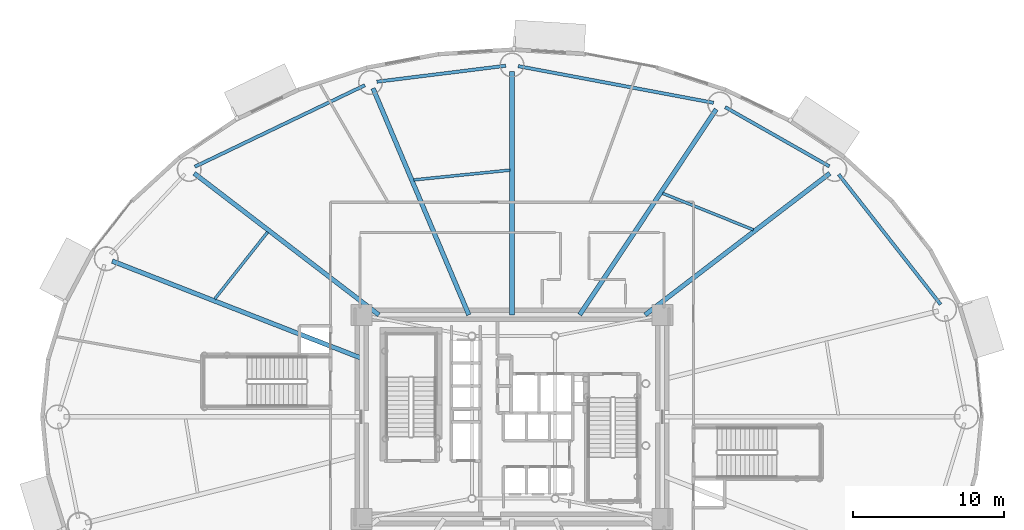
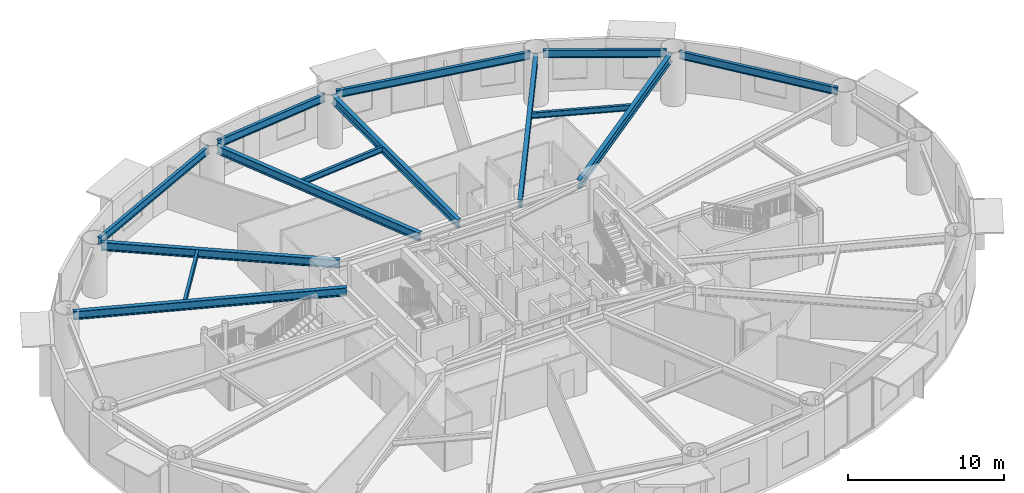
# One storey, part 10 of 28: 14 beams.
"""IFC4 building model written with IfcOpenShell, lengths in metres."""

import ifcopenshell
import ifcopenshell.guid

model = None  # the IFC model being written
_history = None  # IfcOwnerHistory: only IFC2X3 demands one
_inside = {}  # id of a spatial element -> (the spatial element, [elements in it])
_under = {}  # id of a project, library or spatial element -> (it, [spatial elements below it])
_declared = {}  # id of a project -> (the project, [libraries it declares])
_typed = {}  # id of a type object -> (the type object, [elements of that type])
_made_of = {}  # id of a material, layer set ... -> (it, [elements and type objects made of it])


def new_model(schema):
    """Start an empty IFC model of exactly this schema.

    Asked for "IFC4X3", IfcOpenShell would pick the latest addendum, in which some entities
    have other attributes; the version numbers below select the first issue.
    IFC2X3 requires an IfcOwnerHistory on every rooted entity: one is made here for all.
    """
    global model, _history
    if schema == "IFC4X3":
        model = ifcopenshell.file(schema_version=(4, 3, 0, 0))
    else:
        model = ifcopenshell.file(schema=schema)
    _inside.clear()
    _under.clear()
    _declared.clear()
    _typed.clear()
    _made_of.clear()
    _history = None
    if model.schema == "IFC2X3":
        org = make("IfcOrganization", Name="unknown")
        user = make(
            "IfcPersonAndOrganization",
            ThePerson=make("IfcPerson", FamilyName="unknown"),
            TheOrganization=org,
        )
        app = make(
            "IfcApplication",
            ApplicationDeveloper=org,
            Version="unknown",
            ApplicationFullName="unknown",
            ApplicationIdentifier="unknown",
        )
        _history = make(
            "IfcOwnerHistory",
            OwningUser=user,
            OwningApplication=app,
            ChangeAction="ADDED",
            CreationDate=0,
        )
    return model


def make(cls, **values):
    """One entity of the class cls with the attributes given. An attribute that is None is left unset."""
    return model.create_entity(
        cls, **{name: value for name, value in values.items() if value is not None}
    )


def rooted(cls, **values):
    """An entity with a GlobalId (a new one), such as an element, a storey or a relation."""
    return make(cls, GlobalId=ifcopenshell.guid.new(), OwnerHistory=_history, **values)


def si_unit(unit_type, name, prefix=None):
    """IfcSIUnit, for example si_unit("LENGTHUNIT", "METRE", prefix="MILLI")."""
    return make("IfcSIUnit", UnitType=unit_type, Prefix=prefix, Name=name)


def assignment(units):
    """IfcUnitAssignment: the units of a project."""
    return None if units is None else make("IfcUnitAssignment", Units=units)


def point(xyz):
    """IfcCartesianPoint."""
    return None if xyz is None else make("IfcCartesianPoint", Coordinates=xyz)


def direction(xyz):
    """IfcDirection."""
    return None if xyz is None else make("IfcDirection", DirectionRatios=xyz)


def frame(location, z_axis=None, x_axis=None):
    """IfcAxis2Placement3D, a coordinate frame: its origin and axes. An axis left out is left unset."""
    return make(
        "IfcAxis2Placement3D",
        Location=point(location),
        Axis=direction(z_axis),
        RefDirection=direction(x_axis),
    )


def frame_2d(location, x_axis=None):
    """IfcAxis2Placement2D, a coordinate frame in the plane: its origin and x axis."""
    return make(
        "IfcAxis2Placement2D", Location=point(location), RefDirection=direction(x_axis)
    )


def origin():
    """The frame at (0, 0, 0) with its axes left unset."""
    return frame((0.0, 0.0, 0.0))


def origin_2d():
    """The frame at (0, 0) in the plane with its x axis left unset."""
    return frame_2d((0.0, 0.0))


def place(relative_to, where):
    """IfcLocalPlacement: puts the frame where relative to a parent placement (None: the world)."""
    return make(
        "IfcLocalPlacement", PlacementRelTo=relative_to, RelativePlacement=where
    )


def context(
    kind, dimensions, precision=None, world=None, true_north=None, identifier=None
):
    """IfcGeometricRepresentationContext, for example the 3D "Model" context."""
    return make(
        "IfcGeometricRepresentationContext",
        ContextIdentifier=identifier,
        ContextType=kind,
        CoordinateSpaceDimension=dimensions,
        Precision=precision,
        WorldCoordinateSystem=world,
        TrueNorth=true_north,
    )


def subcontext(parent, identifier, kind, view, scale=None):
    """IfcGeometricRepresentationSubContext, for example "Body" below "Model"."""
    return make(
        "IfcGeometricRepresentationSubContext",
        ContextIdentifier=identifier,
        ContextType=kind,
        ParentContext=parent,
        TargetScale=scale,
        TargetView=view,
    )


def project(units=None, contexts=None):
    """IfcProject with its units and contexts."""
    return rooted(
        "IfcProject",
        Name="project",
        RepresentationContexts=contexts,
        UnitsInContext=assignment(units),
    )


def spatial(cls, under=None, at=None, **own):
    """A site, building, storey or space (cls), placed at a placement, below another one or the project."""
    s = rooted(cls, ObjectPlacement=at, **own)
    if under is not None:
        _under.setdefault(under.id(), (under, []))[1].append(s)
    return s


def profile(cls, at=None, kind="AREA", **sizes):
    """A parametric profile (cls). Its sizes go by their IFC names, for example OverallWidth=200.0."""
    return make(cls, ProfileType=kind, Position=at, **sizes)


def i_section(**sizes):
    """IfcIShapeProfileDef."""
    return profile("IfcIShapeProfileDef", **sizes)


def extrude(swept, where, along, depth):
    """IfcExtrudedAreaSolid: the profile swept, set in the frame where, extruded along a direction by depth."""
    return make(
        "IfcExtrudedAreaSolid",
        SweptArea=swept,
        Position=where,
        ExtrudedDirection=direction(along),
        Depth=depth,
    )


def shape(context_of_items, identifier, shape_type, items):
    """IfcShapeRepresentation: the items that make up one representation, for example the "Body"."""
    return make(
        "IfcShapeRepresentation",
        ContextOfItems=context_of_items,
        RepresentationIdentifier=identifier,
        RepresentationType=shape_type,
        Items=items,
    )


def material(Name=None, Category=None):
    """IfcMaterial."""
    return make("IfcMaterial", Name=Name, Category=Category)


def material_profile(
    of_material, cross_section, Name=None, Category=None, Priority=None
):
    """IfcMaterialProfile: a cross section and its material."""
    return make(
        "IfcMaterialProfile",
        Name=Name,
        Material=of_material,
        Profile=cross_section,
        Priority=Priority,
        Category=Category,
    )


def profile_set(profiles, Name=None, composite=None):
    """IfcMaterialProfileSet."""
    return make(
        "IfcMaterialProfileSet",
        Name=Name,
        MaterialProfiles=profiles,
        CompositeProfile=composite,
    )


def made_of(thing, what):
    """Note that an element or type object is made of a material, layer set ...; save() writes the relation."""
    if what is not None:
        _made_of.setdefault(what.id(), (what, []))[1].append(thing)
    return thing


def type_object(cls, material=None, **own):
    """A type object (cls), such as IfcWallType, which elements share."""
    return made_of(rooted(cls, **own), material)


def element(
    cls,
    number,
    at=None,
    inside=None,
    cuts=None,
    type_object=None,
    material=None,
    context=None,
    identifier="Body",
    shape_type=None,
    held_by="IfcProductDefinitionShape",
    body=None,
    shapes=None,
    **own,
):
    """One element of the class cls, such as IfcWall. Its Tag is "e" and its number.

    at: its placement. inside: the storey or other place that contains it. cuts: it is an
    opening in that element (IfcRelVoidsElement). A single representation is given by context,
    identifier, shape_type and body (its items); several are given by shapes. held_by: the class
    of the entity that holds the representations. save() writes the other relations.
    """
    e = rooted(cls, Tag="e%d" % number, ObjectPlacement=at, **own)
    if body is not None:
        shapes = [shape(context, identifier, shape_type, body)]
    if shapes is not None:
        e.Representation = make(held_by, Representations=shapes)
    if inside is not None:
        _inside.setdefault(inside.id(), (inside, []))[1].append(e)
    if cuts is not None:
        rooted(
            "IfcRelVoidsElement", RelatingBuildingElement=cuts, RelatedOpeningElement=e
        )
    if type_object is not None:
        _typed.setdefault(type_object.id(), (type_object, []))[1].append(e)
    return made_of(e, material)


def aggregate(whole, parts):
    """IfcRelAggregates: a whole, such as a stair, and the parts it consists of."""
    return rooted("IfcRelAggregates", RelatingObject=whole, RelatedObjects=parts)


def save(model, path):
    """Write the relations noted so far, then the file.

    IfcRelAggregates (storeys below a building ...), IfcRelContainedInSpatialStructure (elements
    in a storey), IfcRelDefinesByType, IfcRelAssociatesMaterial and IfcRelDeclares: one each for
    every whole, place, type object, material and project.
    """
    for whole, parts in _under.values():
        aggregate(whole, parts)
    for where, things in _inside.values():
        rooted(
            "IfcRelContainedInSpatialStructure",
            RelatedElements=things,
            RelatingStructure=where,
        )
    for kind, things in _typed.values():
        rooted("IfcRelDefinesByType", RelatedObjects=things, RelatingType=kind)
    for what, things in _made_of.values():
        rooted("IfcRelAssociatesMaterial", RelatedObjects=things, RelatingMaterial=what)
    for by, libraries in _declared.values():
        rooted("IfcRelDeclares", RelatingContext=by, RelatedDefinitions=libraries)
    model.write(path)


model = new_model("IFC4")

# Units and contexts
model_context = context("Model", 3, precision=1e-05, world=origin(), true_north=direction((0.0, 1.0)))
body_context = subcontext(model_context, "Body", "Model", "MODEL_VIEW")
ifc_project = project(units=[si_unit("LENGTHUNIT", "METRE"), si_unit("AREAUNIT", "SQUARE_METRE"), si_unit("VOLUMEUNIT", "CUBIC_METRE"), si_unit("PLANEANGLEUNIT", "RADIAN"), si_unit("MASSUNIT", "GRAM", prefix="KILO")], contexts=[model_context])

# Site, building, storey
site_placement = place(None, origin())
site = spatial("IfcSite", under=ifc_project, at=site_placement, CompositionType="ELEMENT")
building_placement = place(site_placement, origin())
building = spatial("IfcBuilding", under=site, at=building_placement, Name="Linh Dai School and Residence Tower", CompositionType="ELEMENT")
storey_placement = place(building_placement, frame((0.0, 0.0, 36.60009765625)))
storey = spatial("IfcBuildingStorey", under=building, at=storey_placement, Name="L08", CompositionType="ELEMENT", Elevation=36.60009765625)

# Beams
ifc_material = material(Name="Structural Steel S355JR", Category="steel")
ifc_material_profile_1 = material_profile(ifc_material, i_section(OverallWidth=0.219970703125, OverallDepth=0.60009765625, WebThickness=0.011962890625, FlangeThickness=0.01904296875, FilletRadius=0.02392578125, at=origin_2d()), Name="IPE 600")
ifc_profile_set_1 = profile_set([ifc_material_profile_1], Name="Structural Steel S355JR")
beam_type_1 = type_object("IfcBeamType", Name="BM-RB60", PredefinedType="BEAM", material=ifc_profile_set_1)
beam_1_placement = place(storey_placement, frame((64.351806640625, 34.439208984375, 3.64990234375), z_axis=(-0.616878670407, 0.787058260866, 0.0), x_axis=(-0.787058260866, -0.616878670407, 0.0)))
element("IfcBeam", 1, at=beam_1_placement, inside=storey, type_object=beam_type_1, Name="L08 Perimeter Elliptical Ring Beam 02", PredefinedType="BEAM", context=body_context, shape_type="SweptSolid", body=[
    extrude(i_section(OverallWidth=0.219970703125, OverallDepth=0.60009765625, WebThickness=0.011962890625, FlangeThickness=0.01904296875, FilletRadius=0.02392578125, at=origin_2d()), origin(), (0.0, 0.0, 1.0), 10.926025390625),
])
beam_2_placement = place(storey_placement, frame((56.987548828125, 43.57666015625, 3.64990234375), z_axis=(-0.869271416992, 0.494335112653, 0.0), x_axis=(-0.494335112653, -0.869271416992, 0.0)))
element("IfcBeam", 2, at=beam_2_placement, inside=storey, type_object=beam_type_1, Name="L08 Perimeter Elliptical Ring Beam 03", PredefinedType="BEAM", context=body_context, shape_type="SweptSolid", body=[
    extrude(i_section(OverallWidth=0.219970703125, OverallDepth=0.60009765625, WebThickness=0.011962890625, FlangeThickness=0.01904296875, FilletRadius=0.02392578125, at=origin_2d()), origin(), (0.0, 0.0, 1.0), 7.91943359375),
])
beam_3_placement = place(storey_placement, frame((49.32568359375, 47.776611328125, 3.64990234375), z_axis=(-0.982808389171, 0.184628465236, 0.0), x_axis=(-0.184628465236, -0.982808389171, 0.0)))
element("IfcBeam", 3, at=beam_3_placement, inside=storey, type_object=beam_type_1, Name="L08 Perimeter Elliptical Ring Beam 04", PredefinedType="BEAM", context=body_context, shape_type="SweptSolid", body=[
    extrude(i_section(OverallWidth=0.219970703125, OverallDepth=0.60009765625, WebThickness=0.011962890625, FlangeThickness=0.01904296875, FilletRadius=0.02392578125, at=origin_2d()), origin(), (0.0, 0.0, 1.0), 13.138671875),
])
beam_4_placement = place(storey_placement, frame((35.583251953125, 50.228271484375, 3.64990234375), z_axis=(-0.99240113372, -0.123044665842, 0.0), x_axis=(0.123044665842, -0.99240113372, 0.0)))
element("IfcBeam", 4, at=beam_4_placement, inside=storey, type_object=beam_type_1, Name="L08 Perimeter Elliptical Ring Beam 05", PredefinedType="BEAM", context=body_context, shape_type="SweptSolid", body=[
    extrude(i_section(OverallWidth=0.219970703125, OverallDepth=0.60009765625, WebThickness=0.011962890625, FlangeThickness=0.01904296875, FilletRadius=0.02392578125, at=origin_2d()), origin(), (0.0, 0.0, 1.0), 8.58935546875),
])
beam_5_placement = place(storey_placement, frame((26.263427734375, 48.938232421875, 3.64990234375), z_axis=(-0.901728693485, -0.432302398034, 0.0), x_axis=(0.432302398034, -0.901728693485, 0.0)))
element("IfcBeam", 5, at=beam_5_placement, inside=storey, type_object=beam_type_1, Name="L08 Perimeter Elliptical Ring Beam 06", PredefinedType="BEAM", context=body_context, shape_type="SweptSolid", body=[
    extrude(i_section(OverallWidth=0.219970703125, OverallDepth=0.60009765625, WebThickness=0.011962890625, FlangeThickness=0.01904296875, FilletRadius=0.02392578125, at=origin_2d()), origin(), (0.0, 0.0, 1.0), 12.462158203125),
])
ifc_material_profile_2 = material_profile(ifc_material, i_section(OverallWidth=0.300048828125, OverallDepth=0.64990234375, WebThickness=0.01611328125, FlangeThickness=0.031005859375, FilletRadius=0.027099609375, at=origin_2d()), Name="HEB 650")
ifc_profile_set_2 = profile_set([ifc_material_profile_2], Name="Structural Steel S355JR")
beam_type_2 = type_object("IfcBeamType", Name="BM-RG65", PredefinedType="BEAM", material=ifc_profile_set_2)
beam_6_placement = place(storey_placement, frame((44.804931640625, 33.75, 3.625), z_axis=(0.793637764155, 0.608390581212, 0.0), x_axis=(-0.608390581212, 0.793637764155, 0.0)))
element("IfcBeam", 6, at=beam_6_placement, inside=storey, type_object=beam_type_2, Name="L08 Primary Radial Floor Girder 03", PredefinedType="BEAM", context=body_context, shape_type="SweptSolid", body=[
    extrude(i_section(OverallWidth=0.300048828125, OverallDepth=0.64990234375, WebThickness=0.01611328125, FlangeThickness=0.031005859375, FilletRadius=0.027099609375, at=origin_2d()), origin(), (0.0, 0.0, 1.0), 15.390625),
])
beam_7_placement = place(storey_placement, frame((40.47998046875, 33.75, 3.625), z_axis=(0.55300421354, 0.833178456158, 0.0), x_axis=(-0.833178456158, 0.55300421354, 0.0)))
element("IfcBeam", 7, at=beam_7_placement, inside=storey, type_object=beam_type_2, Name="L08 Primary Radial Floor Girder 04", PredefinedType="BEAM", context=body_context, shape_type="SweptSolid", body=[
    extrude(i_section(OverallWidth=0.300048828125, OverallDepth=0.64990234375, WebThickness=0.01611328125, FlangeThickness=0.031005859375, FilletRadius=0.027099609375, at=origin_2d()), origin(), (0.0, 0.0, 1.0), 16.322021484375),
])
beam_8_placement = place(storey_placement, frame((36.0, 33.75, 3.625), z_axis=(0.0, 1.0, 0.0), x_axis=(-1.0, 0.0, 0.0)))
element("IfcBeam", 8, at=beam_8_placement, inside=storey, type_object=beam_type_2, Name="L08 Primary Radial Floor Girder 05", PredefinedType="BEAM", context=body_context, shape_type="SweptSolid", body=[
    extrude(i_section(OverallWidth=0.300048828125, OverallDepth=0.64990234375, WebThickness=0.01611328125, FlangeThickness=0.031005859375, FilletRadius=0.027099609375, at=origin_2d()), origin(), (0.0, 0.0, 1.0), 16.110107421875),
])
beam_9_placement = place(storey_placement, frame((33.14453125, 33.75, 3.625), z_axis=(-0.38962432485, 0.920973878829, 0.0), x_axis=(-0.920973878829, -0.38962432485, 0.0)))
element("IfcBeam", 9, at=beam_9_placement, inside=storey, type_object=beam_type_2, Name="L08 Primary Radial Floor Girder 06", PredefinedType="BEAM", context=body_context, shape_type="SweptSolid", body=[
    extrude(i_section(OverallWidth=0.300048828125, OverallDepth=0.64990234375, WebThickness=0.01611328125, FlangeThickness=0.031005859375, FilletRadius=0.027099609375, at=origin_2d()), origin(), (0.0, 0.0, 1.0), 16.2685546875),
])
beam_10_placement = place(storey_placement, frame((27.195068359375, 33.75, 3.625), z_axis=(-0.793637764155, 0.608390581212, 0.0), x_axis=(-0.608390581212, -0.793637764155, 0.0)))
element("IfcBeam", 10, at=beam_10_placement, inside=storey, type_object=beam_type_2, Name="L08 Primary Radial Floor Girder 07", PredefinedType="BEAM", context=body_context, shape_type="SweptSolid", body=[
    extrude(i_section(OverallWidth=0.300048828125, OverallDepth=0.64990234375, WebThickness=0.01611328125, FlangeThickness=0.031005859375, FilletRadius=0.027099609375, at=origin_2d()), origin(), (0.0, 0.0, 1.0), 15.390625),
])
beam_11_placement = place(storey_placement, frame((26.050048828125, 30.879638671875, 3.625), z_axis=(-0.93167509369, 0.363292609061, 0.0), x_axis=(-0.363292609061, -0.93167509369, 0.0)))
element("IfcBeam", 11, at=beam_11_placement, inside=storey, type_object=beam_type_2, Name="L08 Primary Radial Floor Girder 08", PredefinedType="BEAM", context=body_context, shape_type="SweptSolid", body=[
    extrude(i_section(OverallWidth=0.300048828125, OverallDepth=0.64990234375, WebThickness=0.01611328125, FlangeThickness=0.031005859375, FilletRadius=0.027099609375, at=origin_2d()), origin(), (0.0, 0.0, 1.0), 17.703857421875),
])
ifc_material_profile_3 = material_profile(ifc_material, i_section(OverallWidth=0.18994140625, OverallDepth=0.449951171875, WebThickness=0.009521484375, FlangeThickness=0.0146484375, FilletRadius=0.02099609375, at=origin_2d()), Name="IPE 450")
ifc_profile_set_3 = profile_set([ifc_material_profile_3], Name="Structural Steel S355JR")
beam_type_3 = type_object("IfcBeamType", Name="BM-SB45", PredefinedType="BEAM", material=ifc_profile_set_3)
beam_12_placement = place(storey_placement, frame((51.962158203125, 39.377685546875, 3.724853515625), z_axis=(-0.927532778422, 0.3737418159, 0.0), x_axis=(-0.3737418159, -0.927532778422, 0.0)))
element("IfcBeam", 12, at=beam_12_placement, inside=storey, type_object=beam_type_3, Name="L08 Secondary Circumferential Floor Beam 02", PredefinedType="BEAM", context=body_context, shape_type="SweptSolid", body=[
    extrude(i_section(OverallWidth=0.18994140625, OverallDepth=0.449951171875, WebThickness=0.009521484375, FlangeThickness=0.0146484375, FilletRadius=0.02099609375, at=origin_2d()), origin(), (0.0, 0.0, 1.0), 6.459716796875),
])
beam_13_placement = place(storey_placement, frame((35.87060546875, 43.32421875, 3.724853515625), z_axis=(-0.994886521003, -0.100999061019, 0.0), x_axis=(0.100999061019, -0.994886521003, 0.0)))
element("IfcBeam", 13, at=beam_13_placement, inside=storey, type_object=beam_type_3, Name="L08 Secondary Circumferential Floor Beam 03", PredefinedType="BEAM", context=body_context, shape_type="SweptSolid", body=[
    extrude(i_section(OverallWidth=0.18994140625, OverallDepth=0.449951171875, WebThickness=0.009521484375, FlangeThickness=0.0146484375, FilletRadius=0.02099609375, at=origin_2d()), origin(), (0.0, 0.0, 1.0), 6.40087890625),
])
beam_14_placement = place(storey_placement, frame((19.836669921875, 39.22705078125, 3.724853515625), z_axis=(-0.620205247605, -0.78443957756, 0.0), x_axis=(0.78443957756, -0.620205247605, 0.0)))
element("IfcBeam", 14, at=beam_14_placement, inside=storey, type_object=beam_type_3, Name="L08 Secondary Circumferential Floor Beam 04", PredefinedType="BEAM", context=body_context, shape_type="SweptSolid", body=[
    extrude(i_section(OverallWidth=0.18994140625, OverallDepth=0.449951171875, WebThickness=0.009521484375, FlangeThickness=0.0146484375, FilletRadius=0.02099609375, at=origin_2d()), origin(), (0.0, 0.0, 1.0), 5.642822265625),
])

save(model, "model.ifc")
